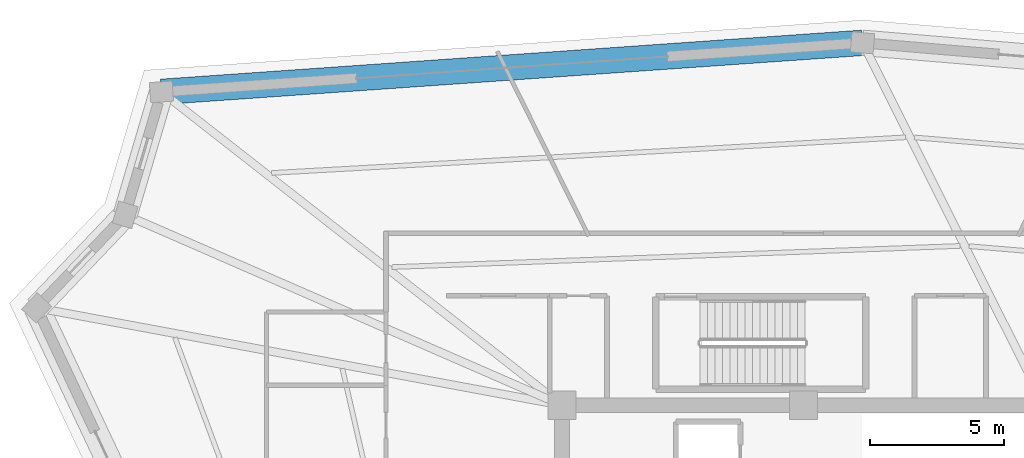
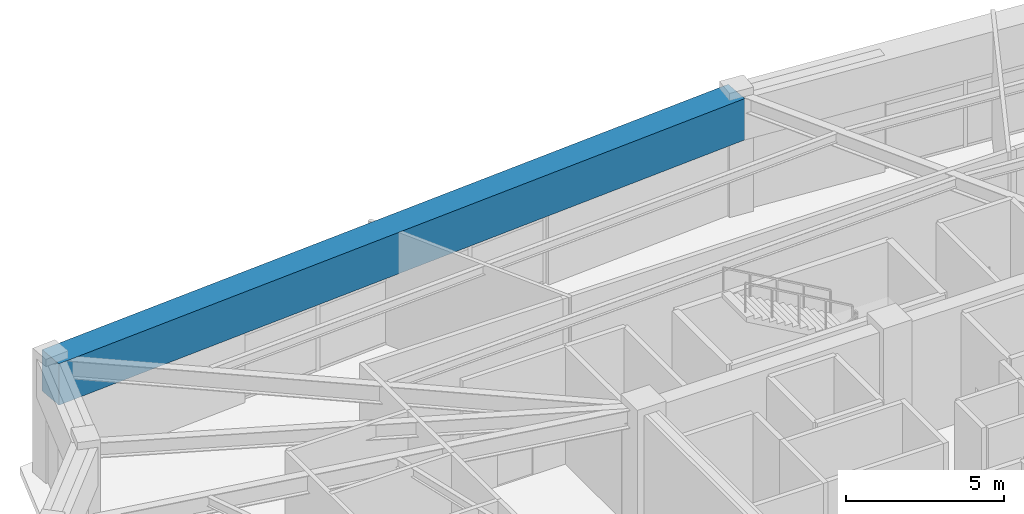
# One storey, part 24 of 40: 1 beam.
"""IFC4 building model written with IfcOpenShell, lengths in metres."""

from ifc_helpers import new_model, si_unit, direction, frame, origin, origin_2d, place, context, subcontext, project, spatial, rectangle, extrude, source, transform, mapped, material, material_profile, profile_set, type_object, element, save


model = new_model("IFC4")

# Units and contexts
model_context = context("Model", 3, precision=1e-05, world=origin(), true_north=direction((0.0, 1.0)))
body_context = subcontext(model_context, "Body", "Model", "MODEL_VIEW")
ifc_project = project(units=[si_unit("LENGTHUNIT", "METRE"), si_unit("AREAUNIT", "SQUARE_METRE"), si_unit("VOLUMEUNIT", "CUBIC_METRE"), si_unit("PLANEANGLEUNIT", "RADIAN"), si_unit("MASSUNIT", "GRAM", prefix="KILO")], contexts=[model_context])

# Site, building, storey
site_placement = place(None, origin())
site = spatial("IfcSite", under=ifc_project, at=site_placement, CompositionType="ELEMENT")
building_placement = place(site_placement, origin())
building = spatial("IfcBuilding", under=site, at=building_placement, Name="Liaohun Quay Tower", CompositionType="ELEMENT")
storey_placement = place(building_placement, frame((0.0, 0.0, 351.0)))
storey = spatial("IfcBuildingStorey", under=building, at=storey_placement, Name="L91", CompositionType="ELEMENT", Elevation=351.0)

# Beam
ifc_material = material(Name="Concrete C55", Category="concrete")
ifc_material_profile = material_profile(ifc_material, rectangle(XDim=0.949951171875, YDim=1.60009765625, at=origin_2d()), Name="RC950x1600")
ifc_profile_set = profile_set([ifc_material_profile], Name="Concrete C55")
beam_type = type_object("IfcBeamType", Name="BM-CAN-LNG", PredefinedType="SPANDREL", material=ifc_profile_set)
shared_shape = source(origin(), body_context, "Body", "SweptSolid", [
    extrude(rectangle(XDim=0.949951171875, YDim=1.60009765625, at=origin_2d()), origin(), (0.0, 0.0, 1.0), 26.207763671875),
])
beam_placement = place(storey_placement, frame((36.06298828125, 73.18505859375, 3.719970703125), z_axis=(0.997564816794, 0.069745510929, 0.0), x_axis=(-0.069745510929, 0.997564816794, 0.0)))
element("IfcBeam", 1, at=beam_placement, inside=storey, type_object=beam_type, Name="L91 Precast Spandrel Beam PC05-PC06", PredefinedType="SPANDREL", context=body_context, shape_type="MappedRepresentation", body=[
    mapped(shared_shape, transform((0.0, 0.0, 0.0), x_axis=(1.0, 0.0, 0.0), y_axis=(0.0, 1.0, 0.0), z_axis=(0.0, 0.0, 1.0), scale=1.0)),
])

save(model, "model.ifc")
